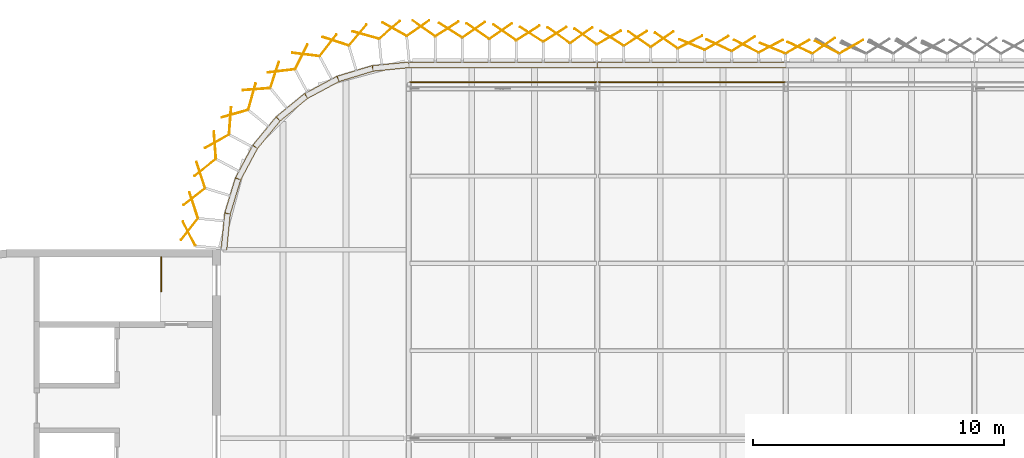
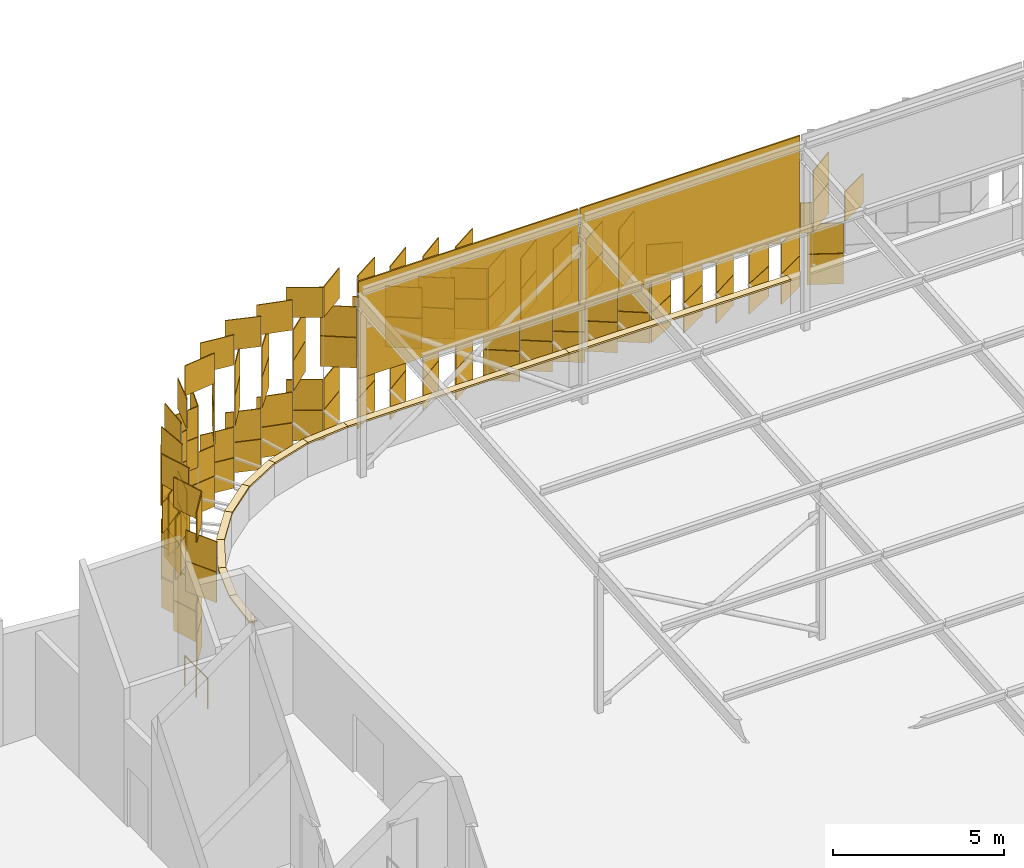
# One storey, part 476 of 483: 132 coverings, 1 railing.
"""IFC4 building model written with IfcOpenShell, lengths in metres."""

from ifc_helpers import new_model, si_unit, direction, frame, origin, origin_2d, place, context, subcontext, project, spatial, polyline, rectangle, circle, outline, extrude, material, layer, layer_set, type_object, element, save


model = new_model("IFC4")

# Units and contexts
model_context = context("Model", 3, precision=1e-05, world=origin(), true_north=direction((0.0, 1.0)))
body_context = subcontext(model_context, "Body", "Model", "MODEL_VIEW")
ifc_project = project(units=[si_unit("LENGTHUNIT", "METRE"), si_unit("AREAUNIT", "SQUARE_METRE"), si_unit("VOLUMEUNIT", "CUBIC_METRE"), si_unit("PLANEANGLEUNIT", "RADIAN"), si_unit("MASSUNIT", "GRAM", prefix="KILO")], contexts=[model_context])

# Site, building, storey
site_placement = place(None, origin())
site = spatial("IfcSite", under=ifc_project, at=site_placement, CompositionType="ELEMENT")
building_placement = place(site_placement, origin())
building = spatial("IfcBuilding", under=site, at=building_placement, Name="Parallax Yard Mobility Hub", CompositionType="ELEMENT")
storey_placement = place(building_placement, frame((0.0, 0.0, 13.199951171875)))
storey = spatial("IfcBuildingStorey", under=building, at=storey_placement, Name="L04", CompositionType="ELEMENT", Elevation=13.199951171875)

# Coverings
ifc_material_1 = material(Name="Concrete fc' 35 MPa", Category="concrete")
ifc_layer_1 = layer(ifc_material_1, 0.06005859375)
ifc_layer_set_1 = layer_set([ifc_layer_1], Name="Parapet coping, Concrete fc' 35 MPa precast, 240")
covering_type_1 = type_object("IfcCoveringType", Name="Parapet coping, Concrete fc' 35 MPa precast, 240", PredefinedType="USERDEFINED", material=ifc_layer_set_1)
covering_1_placement = place(storey_placement, frame((0.0, 0.0, 1.199951171875)))
element("IfcCovering", 1, at=covering_1_placement, inside=storey, type_object=covering_type_1, Name="Parapet coping run 4 part 54", ObjectType="COPING", PredefinedType="USERDEFINED", context=body_context, shape_type="SweptSolid", body=[
    extrude(outline(polyline([(44.999755859375, 142.23388671875), (44.999755859375, 142.47412109375), (37.499755859375, 142.47412109375), (37.499755859375, 142.23388671875), (44.999755859375, 142.23388671875)])), origin(), (0.0, 0.0, 1.0), 0.06005859375),
])
covering_2_placement = place(storey_placement, frame((0.0, 0.0, 1.199951171875)))
element("IfcCovering", 2, at=covering_2_placement, inside=storey, type_object=covering_type_1, Name="Parapet coping run 4 part 55", ObjectType="COPING", PredefinedType="USERDEFINED", context=body_context, shape_type="SweptSolid", body=[
    extrude(outline(polyline([(37.499755859375, 142.23388671875), (37.499755859375, 142.47412109375), (30.0009765625, 142.47412109375), (30.0126953125, 142.23388671875), (37.499755859375, 142.23388671875)])), origin(), (0.0, 0.0, 1.0), 0.06005859375),
])
covering_3_placement = place(storey_placement, frame((0.0, 0.0, 1.199951171875)))
element("IfcCovering", 3, at=covering_3_placement, inside=storey, type_object=covering_type_1, Name="Parapet coping run 4 part 56", ObjectType="COPING", PredefinedType="USERDEFINED", context=body_context, shape_type="SweptSolid", body=[
    extrude(outline(polyline([(30.0126953125, 142.23388671875), (30.0009765625, 142.47412109375), (28.542236328125, 142.330322265625), (28.58935546875, 142.09375), (30.0126953125, 142.23388671875)])), origin(), (0.0, 0.0, 1.0), 0.06005859375),
])
covering_4_placement = place(storey_placement, frame((0.0, 0.0, 1.199951171875)))
element("IfcCovering", 4, at=covering_4_placement, inside=storey, type_object=covering_type_1, Name="Parapet coping run 4 part 57", ObjectType="COPING", PredefinedType="USERDEFINED", context=body_context, shape_type="SweptSolid", body=[
    extrude(outline(polyline([(28.58935546875, 142.09375), (28.542236328125, 142.330322265625), (27.140869140625, 141.9052734375), (27.233154296875, 141.682373046875), (28.58935546875, 142.09375)])), origin(), (0.0, 0.0, 1.0), 0.06005859375),
])
covering_5_placement = place(storey_placement, frame((0.0, 0.0, 1.199951171875)))
element("IfcCovering", 5, at=covering_5_placement, inside=storey, type_object=covering_type_1, Name="Parapet coping run 4 part 58", ObjectType="COPING", PredefinedType="USERDEFINED", context=body_context, shape_type="SweptSolid", body=[
    extrude(outline(polyline([(27.233154296875, 141.682373046875), (27.140869140625, 141.9052734375), (25.84912109375, 141.215087890625), (25.983154296875, 141.014404296875), (27.233154296875, 141.682373046875)])), origin(), (0.0, 0.0, 1.0), 0.06005859375),
])
covering_6_placement = place(storey_placement, frame((0.0, 0.0, 1.199951171875)))
element("IfcCovering", 6, at=covering_6_placement, inside=storey, type_object=covering_type_1, Name="Parapet coping run 4 part 59", ObjectType="COPING", PredefinedType="USERDEFINED", context=body_context, shape_type="SweptSolid", body=[
    extrude(outline(polyline([(25.983154296875, 141.014404296875), (25.84912109375, 141.215087890625), (24.716796875, 140.286376953125), (24.887451171875, 140.11572265625), (25.983154296875, 141.014404296875)])), origin(), (0.0, 0.0, 1.0), 0.06005859375),
])
covering_7_placement = place(storey_placement, frame((0.0, 0.0, 1.199951171875)))
element("IfcCovering", 7, at=covering_7_placement, inside=storey, type_object=covering_type_1, Name="Parapet coping run 4 part 60", ObjectType="COPING", PredefinedType="USERDEFINED", context=body_context, shape_type="SweptSolid", body=[
    extrude(outline(polyline([(24.887451171875, 140.11572265625), (24.716796875, 140.286376953125), (23.78759765625, 139.154541015625), (23.988037109375, 139.0205078125), (24.887451171875, 140.11572265625)])), origin(), (0.0, 0.0, 1.0), 0.06005859375),
])
covering_8_placement = place(storey_placement, frame((0.0, 0.0, 1.199951171875)))
element("IfcCovering", 8, at=covering_8_placement, inside=storey, type_object=covering_type_1, Name="Parapet coping run 4 part 61", ObjectType="COPING", PredefinedType="USERDEFINED", context=body_context, shape_type="SweptSolid", body=[
    extrude(outline(polyline([(23.988037109375, 139.0205078125), (23.78759765625, 139.154541015625), (23.0966796875, 137.86328125), (23.319580078125, 137.770751953125), (23.988037109375, 139.0205078125)])), origin(), (0.0, 0.0, 1.0), 0.06005859375),
])
covering_9_placement = place(storey_placement, frame((0.0, 0.0, 1.199951171875)))
element("IfcCovering", 9, at=covering_9_placement, inside=storey, type_object=covering_type_1, Name="Parapet coping run 4 part 62", ObjectType="COPING", PredefinedType="USERDEFINED", context=body_context, shape_type="SweptSolid", body=[
    extrude(outline(polyline([(23.319580078125, 137.770751953125), (23.0966796875, 137.86328125), (22.6708984375, 136.4619140625), (22.907470703125, 136.414794921875), (23.319580078125, 137.770751953125)])), origin(), (0.0, 0.0, 1.0), 0.06005859375),
])
covering_10_placement = place(storey_placement, frame((0.0, 0.0, 1.199951171875)))
element("IfcCovering", 10, at=covering_10_placement, inside=storey, type_object=covering_type_1, Name="Parapet coping run 4 part 63", ObjectType="COPING", PredefinedType="USERDEFINED", context=body_context, shape_type="SweptSolid", body=[
    extrude(outline(polyline([(22.907470703125, 136.414794921875), (22.6708984375, 136.4619140625), (22.5263671875, 135.002197265625), (22.76513671875, 134.978515625), (22.907470703125, 136.414794921875)])), origin(), (0.0, 0.0, 1.0), 0.06005859375),
])
ifc_material_2 = material(Name="Aluminium panel, silver anodised", Category="aluminium")
ifc_layer_2 = layer(ifc_material_2, 0.030029296875)
ifc_layer_set_2 = layer_set([ifc_layer_2], Name="Skin panel 22.5 degree turn, silver anodised")
covering_type_2 = type_object("IfcCoveringType", Name="Skin panel 22.5 degree turn, silver anodised", PredefinedType="CLADDING", material=ifc_layer_set_2)
for number, where, z_axis, x_axis, name in (
    (11, (44.472900390625, 143.012939453125, 2.219970703125), (0.0, 0.0, 1.0), (-0.923879532511, 0.382683432365, 0.0), "Skin panel 22.5 bay 68.1 row 3 level L04"),
    (12, (41.258056640625, 143.1611328125, 2.219970703125), (0.0, 0.0, 1.0), (-0.923879532511, 0.382683432365, 0.0), "Skin panel 22.5 bay 68.4 row 3 level L04"),
):
    element("IfcCovering", number, at=place(storey_placement, frame(where, z_axis=z_axis, x_axis=x_axis)), inside=storey, type_object=covering_type_2, Name=name, ObjectType="SCREEN", PredefinedType="CLADDING", context=body_context, shape_type="SweptSolid", body=[
        extrude(rectangle(XDim=1.080078125, YDim=0.030029296875, at=origin_2d()), origin(), (0.0, 0.0, 1.0), 1.080078125),
    ])
ifc_layer_3 = layer(ifc_material_2, 0.030029296875)
ifc_layer_set_3 = layer_set([ifc_layer_3], Name="Skin panel 25 degree turn, silver anodised")
covering_type_3 = type_object("IfcCoveringType", Name="Skin panel 25 degree turn, silver anodised", PredefinedType="CLADDING", material=ifc_layer_set_3)
for number, where, z_axis, x_axis, name in (
    (13, (45.55419921875, 143.03515625, 2.219970703125), (0.0, 0.0, 1.0), (-0.906307787037, 0.422618261741, 0.0), "Skin panel 25 bay 67.7 row 3 level L04"),
    (14, (42.33935546875, 143.1298828125, 2.219970703125), (0.0, 0.0, 1.0), (-0.906307787037, 0.422618261741, 0.0), "Skin panel 25 bay 68.3 row 3 level L04"),
):
    element("IfcCovering", number, at=place(storey_placement, frame(where, z_axis=z_axis, x_axis=x_axis)), inside=storey, type_object=covering_type_3, Name=name, ObjectType="SCREEN", PredefinedType="CLADDING", context=body_context, shape_type="SweptSolid", body=[
        extrude(rectangle(XDim=1.080078125, YDim=0.030029296875, at=origin_2d()), origin(), (0.0, 0.0, 1.0), 1.080078125),
    ])
ifc_layer_4 = layer(ifc_material_2, 0.030029296875)
ifc_layer_set_4 = layer_set([ifc_layer_4], Name="Skin panel 27.5 degree turn, silver anodised")
covering_type_4 = type_object("IfcCoveringType", Name="Skin panel 27.5 degree turn, silver anodised", PredefinedType="CLADDING", material=ifc_layer_set_4)
for number, where, z_axis, x_axis, name in (
    (15, (46.636474609375, 143.056884765625, 0.02001953125), (0.0, 0.0, 1.0), (-0.887010833178, 0.461748613235, 0.0), "Skin panel 27.5 bay 67.6 row 1 level L04"),
    (16, (46.636474609375, 143.056884765625, 1.1201171875), (0.0, 0.0, 1.0), (-0.887010833178, 0.461748613235, 0.0), "Skin panel 27.5 bay 67.6 row 2 level L04"),
    (17, (44.40869140625, 143.097900390625, 0.02001953125), (0.0, 0.0, 1.0), (0.887010833178, 0.461748613235, 0.0), "Skin panel 27.5 bay 68.1 row 1 level L04"),
    (18, (44.40869140625, 143.097900390625, 1.1201171875), (0.0, 0.0, 1.0), (0.887010833178, 0.461748613235, 0.0), "Skin panel 27.5 bay 68.1 row 2 level L04"),
    (19, (43.421630859375, 143.097900390625, 2.219970703125), (0.0, 0.0, 1.0), (-0.887010833178, 0.461748613235, 0.0), "Skin panel 27.5 bay 68.2 row 3 level L04"),
    (20, (41.194091796875, 143.2587890625, 0.02001953125), (0.0, 0.0, 1.0), (0.887010833178, 0.461748613235, 0.0), "Skin panel 27.5 bay 68.4 row 1 level L04"),
    (21, (41.194091796875, 143.2587890625, 1.1201171875), (0.0, 0.0, 1.0), (0.887010833178, 0.461748613235, 0.0), "Skin panel 27.5 bay 68.4 row 2 level L04"),
):
    element("IfcCovering", number, at=place(storey_placement, frame(where, z_axis=z_axis, x_axis=x_axis)), inside=storey, type_object=covering_type_4, Name=name, ObjectType="SCREEN", PredefinedType="CLADDING", context=body_context, shape_type="SweptSolid", body=[
        extrude(rectangle(XDim=1.080078125, YDim=0.030029296875, at=origin_2d()), origin(), (0.0, 0.0, 1.0), 1.080078125),
    ])
ifc_layer_5 = layer(ifc_material_2, 0.030029296875)
ifc_layer_set_5 = layer_set([ifc_layer_5], Name="Skin panel 30 degree turn, silver anodised")
covering_type_5 = type_object("IfcCoveringType", Name="Skin panel 30 degree turn, silver anodised", PredefinedType="CLADDING", material=ifc_layer_set_5)
for number, where, z_axis, x_axis, name in (
    (22, (47.61181640625, 143.078125, 2.219970703125), (0.0, 0.0, 1.0), (0.866025403784, 0.5, 0.0), "Skin panel 30 bay 67.5 row 3 level L04"),
    (23, (45.468505859375, 143.078125, 0.02001953125), (0.0, 0.0, 1.0), (0.866025403784, 0.5, 0.0), "Skin panel 30 bay 67.7 row 1 level L04"),
    (24, (45.468505859375, 143.078125, 1.1201171875), (0.0, 0.0, 1.0), (0.866025403784, 0.5, 0.0), "Skin panel 30 bay 67.7 row 2 level L04"),
    (25, (42.25390625, 143.226318359375, 0.02001953125), (0.0, 0.0, 1.0), (0.866025403784, 0.5, 0.0), "Skin panel 30 bay 68.3 row 1 level L04"),
    (26, (42.25390625, 143.226318359375, 1.1201171875), (0.0, 0.0, 1.0), (0.866025403784, 0.5, 0.0), "Skin panel 30 bay 68.3 row 2 level L04"),
    (27, (37.9677734375, 143.440673828125, 2.219970703125), (0.0, 0.0, 1.0), (0.866025403784, 0.5, 0.0), "Skin panel 30 bay 68.7 row 3 level L04"),
    (28, (37.9677734375, 143.440673828125, 3.320068359375), (0.0, 0.0, 1.0), (0.866025403784, 0.5, 0.0), "Skin panel 30 bay 68.7 row 4 level L04"),
):
    element("IfcCovering", number, at=place(storey_placement, frame(where, z_axis=z_axis, x_axis=x_axis)), inside=storey, type_object=covering_type_5, Name=name, ObjectType="SCREEN", PredefinedType="CLADDING", context=body_context, shape_type="SweptSolid", body=[
        extrude(rectangle(XDim=1.080078125, YDim=0.030029296875, at=origin_2d()), origin(), (0.0, 0.0, 1.0), 1.080078125),
    ])
ifc_layer_6 = layer(ifc_material_2, 0.030029296875)
ifc_layer_set_6 = layer_set([ifc_layer_6], Name="Skin panel 32.5 degree turn, silver anodised")
covering_type_6 = type_object("IfcCoveringType", Name="Skin panel 32.5 degree turn, silver anodised", PredefinedType="CLADDING", material=ifc_layer_set_6)
for number, where, z_axis, x_axis, name in (
    (29, (43.31298828125, 143.193603515625, 0.02001953125), (0.0, 0.0, 1.0), (0.843391445813, 0.537299608347, 0.0), "Skin panel 32.5 bay 68.2 row 1 level L04"),
    (30, (43.31298828125, 143.193603515625, 1.1201171875), (0.0, 0.0, 1.0), (0.843391445813, 0.537299608347, 0.0), "Skin panel 32.5 bay 68.2 row 2 level L04"),
    (31, (39.026611328125, 143.407958984375, 2.219970703125), (0.0, 0.0, 1.0), (0.843391445813, 0.537299608347, 0.0), "Skin panel 32.5 bay 68.6 row 3 level L04"),
    (32, (39.026611328125, 143.407958984375, 3.320068359375), (0.0, 0.0, 1.0), (0.843391445813, 0.537299608347, 0.0), "Skin panel 32.5 bay 68.6 row 4 level L04"),
    (33, (38.088134765625, 143.407958984375, 0.02001953125), (0.0, 0.0, 1.0), (-0.843391445813, 0.537299608347, 0.0), "Skin panel 32.5 bay 68.7 row 1 level L04"),
    (34, (38.088134765625, 143.407958984375, 1.1201171875), (0.0, 0.0, 1.0), (-0.843391445813, 0.537299608347, 0.0), "Skin panel 32.5 bay 68.7 row 2 level L04"),
    (35, (35.81201171875, 143.568603515625, 2.219970703125), (0.0, 0.0, 1.0), (0.843391445813, 0.537299608347, 0.0), "Skin panel 32.5 bay 69.2 row 3 level L04"),
    (36, (35.81201171875, 143.568603515625, 3.320068359375), (0.0, 0.0, 1.0), (0.843391445813, 0.537299608347, 0.0), "Skin panel 32.5 bay 69.2 row 4 level L04"),
    (37, (34.740478515625, 143.622314453125, 0.02001953125), (0.0, 0.0, 1.0), (0.843391445813, 0.537299608347, 0.0), "Skin panel 32.5 bay 69.3 row 1 level L04"),
    (38, (34.740478515625, 143.622314453125, 1.1201171875), (0.0, 0.0, 1.0), (0.843391445813, 0.537299608347, 0.0), "Skin panel 32.5 bay 69.3 row 2 level L04"),
    (39, (34.87353515625, 143.568603515625, 2.219970703125), (0.0, 0.0, 1.0), (-0.843391445813, 0.537299608347, 0.0), "Skin panel 32.5 bay 69.3 row 3 level L04"),
    (40, (34.87353515625, 143.568603515625, 3.320068359375), (0.0, 0.0, 1.0), (-0.843391445813, 0.537299608347, 0.0), "Skin panel 32.5 bay 69.3 row 4 level L04"),
    (41, (34.740478515625, 143.622314453125, 4.419921875), (0.0, 0.0, 1.0), (0.843391445813, 0.537299608347, 0.0), "Skin panel 32.5 bay 69.3 row 5 level L04"),
    (42, (31.52587890625, 143.782958984375, 0.02001953125), (0.0, 0.0, 1.0), (0.843391445813, 0.537299608347, 0.0), "Skin panel 32.5 bay 69.6 row 1 level L04"),
    (43, (31.52587890625, 143.782958984375, 1.1201171875), (0.0, 0.0, 1.0), (0.843391445813, 0.537299608347, 0.0), "Skin panel 32.5 bay 69.6 row 2 level L04"),
    (44, (31.658935546875, 143.729248046875, 2.219970703125), (0.0, 0.0, 1.0), (-0.843391445813, 0.537299608347, 0.0), "Skin panel 32.5 bay 69.6 row 3 level L04"),
    (45, (31.658935546875, 143.729248046875, 3.320068359375), (0.0, 0.0, 1.0), (-0.843391445813, 0.537299608347, 0.0), "Skin panel 32.5 bay 69.6 row 4 level L04"),
    (46, (31.52587890625, 143.782958984375, 4.419921875), (0.0, 0.0, 1.0), (0.843391445813, 0.537299608347, 0.0), "Skin panel 32.5 bay 69.6 row 5 level L04"),
    (47, (28.2822265625, 143.538330078125, 0.02001953125), (0.0, 0.0, 1.0), (-0.963045136708, 0.269340053953, 0.0), "Skin panel 32.5 bay 70.2 row 1 level L04"),
    (48, (28.2822265625, 143.538330078125, 1.1201171875), (0.0, 0.0, 1.0), (-0.963045136708, 0.269340053953, 0.0), "Skin panel 32.5 bay 70.2 row 2 level L04"),
    (49, (27.973876953125, 143.54248046875, 2.219970703125), (0.0, 0.0, 1.0), (0.651105449912, 0.758987281247, 0.0), "Skin panel 32.5 bay 70.2 row 3 level L04"),
    (50, (27.973876953125, 143.54248046875, 3.320068359375), (0.0, 0.0, 1.0), (0.651105449912, 0.758987281247, 0.0), "Skin panel 32.5 bay 70.2 row 4 level L04"),
    (51, (28.2822265625, 143.538330078125, 4.419921875), (0.0, 0.0, 1.0), (-0.963045136708, 0.269340053953, 0.0), "Skin panel 32.5 bay 70.2 row 5 level L04"),
    (52, (24.923095703125, 142.112060546875, 0.02001953125), (0.0, 0.0, 1.0), (-0.992809667009, -0.119703655305, 0.0), "Skin panel 32.5 bay 70.5 row 1 level L04"),
    (53, (24.923095703125, 142.112060546875, 1.1201171875), (0.0, 0.0, 1.0), (-0.992809667009, -0.119703655305, 0.0), "Skin panel 32.5 bay 70.5 row 2 level L04"),
    (54, (24.6640625, 141.956787109375, 2.219970703125), (0.0, 0.0, 1.0), (0.311091140771, 0.950380082985, 0.0), "Skin panel 32.5 bay 70.5 row 3 level L04"),
    (55, (24.6640625, 141.956787109375, 3.320068359375), (0.0, 0.0, 1.0), (0.311091140771, 0.950380082985, 0.0), "Skin panel 32.5 bay 70.5 row 4 level L04"),
    (56, (24.923095703125, 142.112060546875, 4.419921875), (0.0, 0.0, 1.0), (-0.992809667009, -0.119703655305, 0.0), "Skin panel 32.5 bay 70.5 row 5 level L04"),
    (57, (22.2890625, 139.162841796875, 0.02001953125), (0.0, 0.0, 1.0), (-0.076283974504, 0.997086132304, 0.0), "Skin panel 32.5 bay 70.8 row 1 level L04"),
    (58, (22.2890625, 139.162841796875, 1.1201171875), (0.0, 0.0, 1.0), (-0.076283974504, 0.997086132304, 0.0), "Skin panel 32.5 bay 70.8 row 2 level L04"),
    (59, (22.366943359375, 139.30859375, 2.219970703125), (0.0, 0.0, 1.0), (-0.87142792535, -0.490523568159, 0.0), "Skin panel 32.5 bay 70.8 row 3 level L04"),
    (60, (22.366943359375, 139.30859375, 3.320068359375), (0.0, 0.0, 1.0), (-0.87142792535, -0.490523568159, 0.0), "Skin panel 32.5 bay 70.8 row 4 level L04"),
    (61, (22.2890625, 139.162841796875, 4.419921875), (0.0, 0.0, 1.0), (-0.076283974504, 0.997086132304, 0.0), "Skin panel 32.5 bay 70.8 row 5 level L04"),
    (62, (21.2744140625, 135.80859375, 0.02001953125), (0.0, 0.0, 1.0), (-0.617379181571, -0.786665714369, 0.0), "Skin panel 32.5 bay 70.11 row 1 level L04"),
    (63, (21.2744140625, 135.80859375, 1.1201171875), (0.0, 0.0, 1.0), (-0.617379181571, -0.786665714369, 0.0), "Skin panel 32.5 bay 70.11 row 2 level L04"),
    (64, (21.25830078125, 135.644287109375, 2.219970703125), (0.0, 0.0, 1.0), (-0.452045546177, 0.891994856589, 0.0), "Skin panel 32.5 bay 70.11 row 3 level L04"),
    (65, (21.25830078125, 135.644287109375, 3.320068359375), (0.0, 0.0, 1.0), (-0.452045546177, 0.891994856589, 0.0), "Skin panel 32.5 bay 70.11 row 4 level L04"),
    (66, (21.2744140625, 135.80859375, 4.419921875), (0.0, 0.0, 1.0), (-0.617379181571, -0.786665714369, 0.0), "Skin panel 32.5 bay 70.11 row 5 level L04"),
):
    element("IfcCovering", number, at=place(storey_placement, frame(where, z_axis=z_axis, x_axis=x_axis)), inside=storey, type_object=covering_type_6, Name=name, ObjectType="SCREEN", PredefinedType="CLADDING", context=body_context, shape_type="SweptSolid", body=[
        extrude(rectangle(XDim=1.080078125, YDim=0.030029296875, at=origin_2d()), origin(), (0.0, 0.0, 1.0), 1.080078125),
    ])
ifc_layer_7 = layer(ifc_material_2, 0.030029296875)
ifc_layer_set_7 = layer_set([ifc_layer_7], Name="Skin panel 35 degree turn, silver anodised")
covering_type_7 = type_object("IfcCoveringType", Name="Skin panel 35 degree turn, silver anodised", PredefinedType="CLADDING", material=ifc_layer_set_7)
for number, where, z_axis, x_axis, name in (
    (67, (46.51416015625, 143.119140625, 2.219970703125), (0.0, 0.0, 1.0), (0.819152044289, 0.573576436351, 0.0), "Skin panel 35 bay 67.6 row 3 level L04"),
    (68, (46.51416015625, 143.119140625, 3.320068359375), (0.0, 0.0, 1.0), (0.819152044289, 0.573576436351, 0.0), "Skin panel 35 bay 67.6 row 4 level L04"),
    (69, (40.244873046875, 143.32080078125, 0.02001953125), (0.0, 0.0, 1.0), (-0.819152044289, 0.573576436351, 0.0), "Skin panel 35 bay 68.5 row 1 level L04"),
    (70, (40.244873046875, 143.32080078125, 1.1201171875), (0.0, 0.0, 1.0), (-0.819152044289, 0.573576436351, 0.0), "Skin panel 35 bay 68.5 row 2 level L04"),
    (71, (40.084716796875, 143.37451171875, 2.219970703125), (0.0, 0.0, 1.0), (0.819152044289, 0.573576436351, 0.0), "Skin panel 35 bay 68.5 row 3 level L04"),
    (72, (40.084716796875, 143.37451171875, 3.320068359375), (0.0, 0.0, 1.0), (0.819152044289, 0.573576436351, 0.0), "Skin panel 35 bay 68.5 row 4 level L04"),
    (73, (39.17333984375, 143.37451171875, 0.02001953125), (0.0, 0.0, 1.0), (-0.819152044289, 0.573576436351, 0.0), "Skin panel 35 bay 68.6 row 1 level L04"),
    (74, (39.17333984375, 143.37451171875, 1.1201171875), (0.0, 0.0, 1.0), (-0.819152044289, 0.573576436351, 0.0), "Skin panel 35 bay 68.6 row 2 level L04"),
    (75, (37.030029296875, 143.481689453125, 0.02001953125), (0.0, 0.0, 1.0), (-0.819152044289, 0.573576436351, 0.0), "Skin panel 35 bay 69.1 row 1 level L04"),
    (76, (37.030029296875, 143.481689453125, 1.1201171875), (0.0, 0.0, 1.0), (-0.819152044289, 0.573576436351, 0.0), "Skin panel 35 bay 69.1 row 2 level L04"),
    (77, (36.8701171875, 143.53515625, 2.219970703125), (0.0, 0.0, 1.0), (0.819152044289, 0.573576436351, 0.0), "Skin panel 35 bay 69.1 row 3 level L04"),
    (78, (36.8701171875, 143.53515625, 3.320068359375), (0.0, 0.0, 1.0), (0.819152044289, 0.573576436351, 0.0), "Skin panel 35 bay 69.1 row 4 level L04"),
    (79, (35.95849609375, 143.53515625, 0.02001953125), (0.0, 0.0, 1.0), (-0.819152044289, 0.573576436351, 0.0), "Skin panel 35 bay 69.2 row 1 level L04"),
    (80, (35.95849609375, 143.53515625, 1.1201171875), (0.0, 0.0, 1.0), (-0.819152044289, 0.573576436351, 0.0), "Skin panel 35 bay 69.2 row 2 level L04"),
    (81, (33.655517578125, 143.69580078125, 0.02001953125), (0.0, 0.0, 1.0), (0.819152044289, 0.573576436351, 0.0), "Skin panel 35 bay 69.4 row 1 level L04"),
    (82, (33.655517578125, 143.69580078125, 1.1201171875), (0.0, 0.0, 1.0), (0.819152044289, 0.573576436351, 0.0), "Skin panel 35 bay 69.4 row 2 level L04"),
    (83, (33.8154296875, 143.642333984375, 2.219970703125), (0.0, 0.0, 1.0), (-0.819152044289, 0.573576436351, 0.0), "Skin panel 35 bay 69.4 row 3 level L04"),
    (84, (33.8154296875, 143.642333984375, 3.320068359375), (0.0, 0.0, 1.0), (-0.819152044289, 0.573576436351, 0.0), "Skin panel 35 bay 69.4 row 4 level L04"),
    (85, (33.655517578125, 143.69580078125, 4.419921875), (0.0, 0.0, 1.0), (0.819152044289, 0.573576436351, 0.0), "Skin panel 35 bay 69.4 row 5 level L04"),
    (86, (32.583740234375, 143.74951171875, 0.02001953125), (0.0, 0.0, 1.0), (0.819152044289, 0.573576436351, 0.0), "Skin panel 35 bay 69.5 row 1 level L04"),
    (87, (32.583740234375, 143.74951171875, 1.1201171875), (0.0, 0.0, 1.0), (0.819152044289, 0.573576436351, 0.0), "Skin panel 35 bay 69.5 row 2 level L04"),
    (88, (32.743896484375, 143.69580078125, 2.219970703125), (0.0, 0.0, 1.0), (-0.819152044289, 0.573576436351, 0.0), "Skin panel 35 bay 69.5 row 3 level L04"),
    (89, (32.743896484375, 143.69580078125, 3.320068359375), (0.0, 0.0, 1.0), (-0.819152044289, 0.573576436351, 0.0), "Skin panel 35 bay 69.5 row 4 level L04"),
    (90, (32.583740234375, 143.74951171875, 4.419921875), (0.0, 0.0, 1.0), (0.819152044289, 0.573576436351, 0.0), "Skin panel 35 bay 69.5 row 5 level L04"),
    (91, (30.3720703125, 143.815673828125, 0.02001953125), (0.0, 0.0, 1.0), (0.819152044289, 0.573576436351, 0.0), "Skin panel 35 bay 69.7 row 1 level L04"),
    (92, (30.3720703125, 143.815673828125, 1.1201171875), (0.0, 0.0, 1.0), (0.819152044289, 0.573576436351, 0.0), "Skin panel 35 bay 69.7 row 2 level L04"),
    (93, (30.600830078125, 143.802978515625, 2.219970703125), (0.0, 0.0, 1.0), (-0.819152044289, 0.573576436351, 0.0), "Skin panel 35 bay 69.7 row 3 level L04"),
    (94, (30.600830078125, 143.802978515625, 3.320068359375), (0.0, 0.0, 1.0), (-0.819152044289, 0.573576436351, 0.0), "Skin panel 35 bay 69.7 row 4 level L04"),
    (95, (30.3720703125, 143.815673828125, 4.419921875), (0.0, 0.0, 1.0), (0.819152044289, 0.573576436351, 0.0), "Skin panel 35 bay 69.7 row 5 level L04"),
    (96, (29.431640625, 143.76953125, 0.02001953125), (0.0, 0.0, 1.0), (-0.87142792535, 0.490523568159, 0.0), "Skin panel 35 bay 70.1 row 1 level L04"),
    (97, (29.431640625, 143.76953125, 1.1201171875), (0.0, 0.0, 1.0), (-0.87142792535, 0.490523568159, 0.0), "Skin panel 35 bay 70.1 row 2 level L04"),
    (98, (29.240234375, 143.750732421875, 2.219970703125), (0.0, 0.0, 1.0), (0.758987281247, 0.651105449912, 0.0), "Skin panel 35 bay 70.1 row 3 level L04"),
    (99, (29.240234375, 143.750732421875, 3.320068359375), (0.0, 0.0, 1.0), (0.758987281247, 0.651105449912, 0.0), "Skin panel 35 bay 70.1 row 4 level L04"),
    (100, (29.431640625, 143.76953125, 4.419921875), (0.0, 0.0, 1.0), (-0.87142792535, 0.490523568159, 0.0), "Skin panel 35 bay 70.1 row 5 level L04"),
    (101, (27.0830078125, 143.293212890625, 0.02001953125), (0.0, 0.0, 1.0), (-0.950380082985, 0.311091140771, 0.0), "Skin panel 35 bay 70.3 row 1 level L04"),
    (102, (27.0830078125, 143.293212890625, 1.1201171875), (0.0, 0.0, 1.0), (-0.950380082985, 0.311091140771, 0.0), "Skin panel 35 bay 70.3 row 2 level L04"),
    (103, (26.792236328125, 143.13671875, 2.219970703125), (0.0, 0.0, 1.0), (0.617379181571, 0.786665714369, 0.0), "Skin panel 35 bay 70.3 row 3 level L04"),
    (104, (26.792236328125, 143.13671875, 3.320068359375), (0.0, 0.0, 1.0), (0.617379181571, 0.786665714369, 0.0), "Skin panel 35 bay 70.3 row 4 level L04"),
    (105, (27.0830078125, 143.293212890625, 4.419921875), (0.0, 0.0, 1.0), (-0.950380082985, 0.311091140771, 0.0), "Skin panel 35 bay 70.3 row 5 level L04"),
    (106, (25.896484375, 142.765380859375, 0.02001953125), (0.0, 0.0, 1.0), (-0.992809667009, 0.119703655305, 0.0), "Skin panel 35 bay 70.4 row 1 level L04"),
    (107, (25.896484375, 142.765380859375, 1.1201171875), (0.0, 0.0, 1.0), (-0.992809667009, 0.119703655305, 0.0), "Skin panel 35 bay 70.4 row 2 level L04"),
    (108, (25.72705078125, 142.675048828125, 2.219970703125), (0.0, 0.0, 1.0), (0.452045546177, 0.891994856589, 0.0), "Skin panel 35 bay 70.4 row 3 level L04"),
    (109, (25.72705078125, 142.675048828125, 3.320068359375), (0.0, 0.0, 1.0), (0.452045546177, 0.891994856589, 0.0), "Skin panel 35 bay 70.4 row 4 level L04"),
    (110, (25.896484375, 142.765380859375, 4.419921875), (0.0, 0.0, 1.0), (-0.992809667009, 0.119703655305, 0.0), "Skin panel 35 bay 70.4 row 5 level L04"),
    (111, (23.7626953125, 141.0947265625, 0.02001953125), (0.0, 0.0, 1.0), (0.269340053953, 0.963045136708, 0.0), "Skin panel 35 bay 70.6 row 1 level L04"),
    (112, (23.7626953125, 141.0947265625, 1.1201171875), (0.0, 0.0, 1.0), (0.269340053953, 0.963045136708, 0.0), "Skin panel 35 bay 70.6 row 2 level L04"),
    (113, (23.936279296875, 141.3857421875, 2.219970703125), (0.0, 0.0, 1.0), (-0.997086132304, -0.076283974504, 0.0), "Skin panel 35 bay 70.6 row 3 level L04"),
    (114, (23.936279296875, 141.3857421875, 3.320068359375), (0.0, 0.0, 1.0), (-0.997086132304, -0.076283974504, 0.0), "Skin panel 35 bay 70.6 row 4 level L04"),
    (115, (23.7626953125, 141.0947265625, 4.419921875), (0.0, 0.0, 1.0), (0.269340053953, 0.963045136708, 0.0), "Skin panel 35 bay 70.6 row 5 level L04"),
    (116, (22.894287109375, 140.13623046875, 0.02001953125), (0.0, 0.0, 1.0), (0.076283974504, 0.997086132304, 0.0), "Skin panel 35 bay 70.7 row 1 level L04"),
    (117, (22.894287109375, 140.13623046875, 1.1201171875), (0.0, 0.0, 1.0), (0.076283974504, 0.997086132304, 0.0), "Skin panel 35 bay 70.7 row 2 level L04"),
    (118, (23.0771484375, 140.4091796875, 2.219970703125), (0.0, 0.0, 1.0), (-0.963045136708, -0.269340053953, 0.0), "Skin panel 35 bay 70.7 row 3 level L04"),
    (119, (23.0771484375, 140.4091796875, 3.320068359375), (0.0, 0.0, 1.0), (-0.963045136708, -0.269340053953, 0.0), "Skin panel 35 bay 70.7 row 4 level L04"),
    (120, (22.894287109375, 140.13623046875, 4.419921875), (0.0, 0.0, 1.0), (0.076283974504, 0.997086132304, 0.0), "Skin panel 35 bay 70.7 row 5 level L04"),
    (121, (21.7255859375, 137.97900390625, 0.02001953125), (0.0, 0.0, 1.0), (-0.311091140771, 0.950380082985, 0.0), "Skin panel 35 bay 70.9 row 1 level L04"),
    (122, (21.7255859375, 137.97900390625, 1.1201171875), (0.0, 0.0, 1.0), (-0.311091140771, 0.950380082985, 0.0), "Skin panel 35 bay 70.9 row 2 level L04"),
    (123, (21.893798828125, 138.2646484375, 2.219970703125), (0.0, 0.0, 1.0), (-0.786665714369, -0.617379181571, 0.0), "Skin panel 35 bay 70.9 row 3 level L04"),
    (124, (21.893798828125, 138.2646484375, 3.320068359375), (0.0, 0.0, 1.0), (-0.786665714369, -0.617379181571, 0.0), "Skin panel 35 bay 70.9 row 4 level L04"),
    (125, (21.7255859375, 137.97900390625, 4.419921875), (0.0, 0.0, 1.0), (-0.311091140771, 0.950380082985, 0.0), "Skin panel 35 bay 70.9 row 5 level L04"),
    (126, (21.44482421875, 136.77490234375, 0.02001953125), (0.0, 0.0, 1.0), (-0.311091140771, 0.950380082985, 0.0), "Skin panel 35 bay 70.10 row 1 level L04"),
    (127, (21.44482421875, 136.77490234375, 1.1201171875), (0.0, 0.0, 1.0), (-0.311091140771, 0.950380082985, 0.0), "Skin panel 35 bay 70.10 row 2 level L04"),
    (128, (21.4609375, 137.106689453125, 2.219970703125), (0.0, 0.0, 1.0), (-0.786665714369, -0.617379181571, 0.0), "Skin panel 35 bay 70.10 row 3 level L04"),
    (129, (21.4609375, 137.106689453125, 3.320068359375), (0.0, 0.0, 1.0), (-0.786665714369, -0.617379181571, 0.0), "Skin panel 35 bay 70.10 row 4 level L04"),
    (130, (21.44482421875, 136.77490234375, 4.419921875), (0.0, 0.0, 1.0), (-0.311091140771, 0.950380082985, 0.0), "Skin panel 35 bay 70.10 row 5 level L04"),
):
    element("IfcCovering", number, at=place(storey_placement, frame(where, z_axis=z_axis, x_axis=x_axis)), inside=storey, type_object=covering_type_7, Name=name, ObjectType="SCREEN", PredefinedType="CLADDING", context=body_context, shape_type="SweptSolid", body=[
        extrude(rectangle(XDim=1.080078125, YDim=0.030029296875, at=origin_2d()), origin(), (0.0, 0.0, 1.0), 1.080078125),
    ])

# Railing
ifc_material_3 = material(Name="Steel ASTM A36", Category="steel")
railing_type = type_object("IfcRailingType", Name="Stair guard 1100", PredefinedType="GUARDRAIL", material=ifc_material_3)
railing_placement = place(storey_placement, frame((20.14990234375, 134.699951171875, 0.0)))
element("IfcRailing", 131, at=railing_placement, inside=storey, type_object=railing_type, Name="L04 ST2 top well guard 1", PredefinedType="GUARDRAIL", context=body_context, shape_type="SweptSolid", body=[
    extrude(circle(Radius=0.02392578125, at=origin_2d()), frame((0.0, 0.0, 1.076171875), z_axis=(0.0, -1.0, 0.0), x_axis=(1.0, 0.0, 0.0)), (0.0, 0.0, 1.0), 1.349853515625),
    extrude(circle(Radius=0.02099609375, at=origin_2d()), origin(), (0.0, 0.0, 1.0), 1.052001953125),
    extrude(circle(Radius=0.02099609375, at=origin_2d()), frame((0.0, -0.6748046875, 0.0)), (0.0, 0.0, 1.0), 1.052001953125),
    extrude(circle(Radius=0.02099609375, at=origin_2d()), frame((0.0, -1.349853515625, 0.0)), (0.0, 0.0, 1.0), 1.052001953125),
])

# Coverings
ifc_material_4 = material(Name="Anodised aluminium louvre panel", Category="aluminium")
ifc_layer_8 = layer(ifc_material_4, 0.050048828125)
ifc_layer_set_8 = layer_set([ifc_layer_8], Name="Storm valance louvre panel 50")
covering_type_8 = type_object("IfcCoveringType", Name="Storm valance louvre panel 50", PredefinedType="CLADDING", material=ifc_layer_set_8)
covering_11_placement = place(storey_placement, frame((0.0, 0.0, 3.300048828125)))
element("IfcCovering", 132, at=covering_11_placement, inside=storey, type_object=covering_type_8, Name="Storm valance sector N-A bay 1", PredefinedType="CLADDING", context=body_context, shape_type="SweptSolid", body=[
    extrude(outline(polyline([(30.030029296875, 141.639892578125), (37.469970703125, 141.639892578125), (37.469970703125, 141.68994140625), (30.030029296875, 141.68994140625), (30.030029296875, 141.639892578125)])), origin(), (0.0, 0.0, 1.0), 3.46630859375),
])
covering_12_placement = place(storey_placement, frame((0.0, 0.0, 3.300048828125)))
element("IfcCovering", 133, at=covering_12_placement, inside=storey, type_object=covering_type_8, Name="Storm valance sector N-A bay 2", PredefinedType="CLADDING", context=body_context, shape_type="SweptSolid", body=[
    extrude(outline(polyline([(37.530029296875, 141.639892578125), (44.969970703125, 141.639892578125), (44.969970703125, 141.68994140625), (37.530029296875, 141.68994140625), (37.530029296875, 141.639892578125)])), origin(), (0.0, 0.0, 1.0), 3.46630859375),
])

save(model, "model.ifc")
